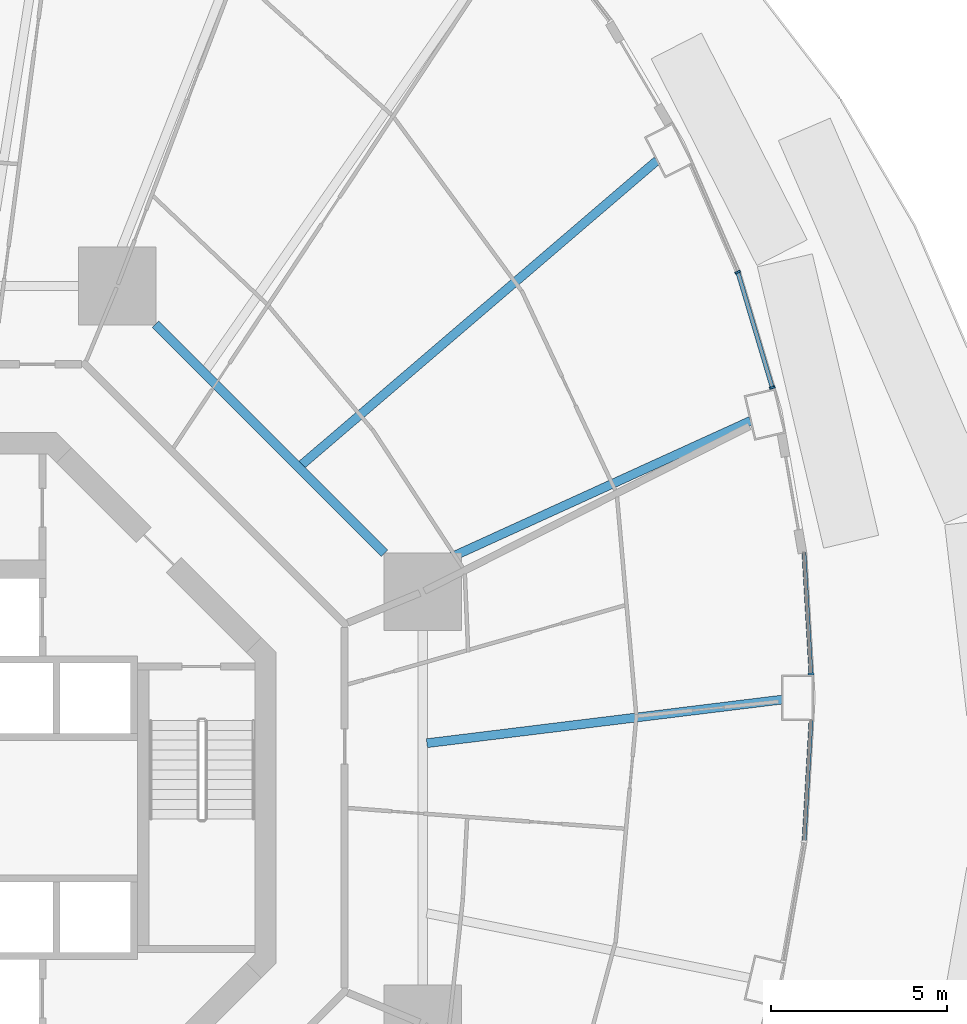
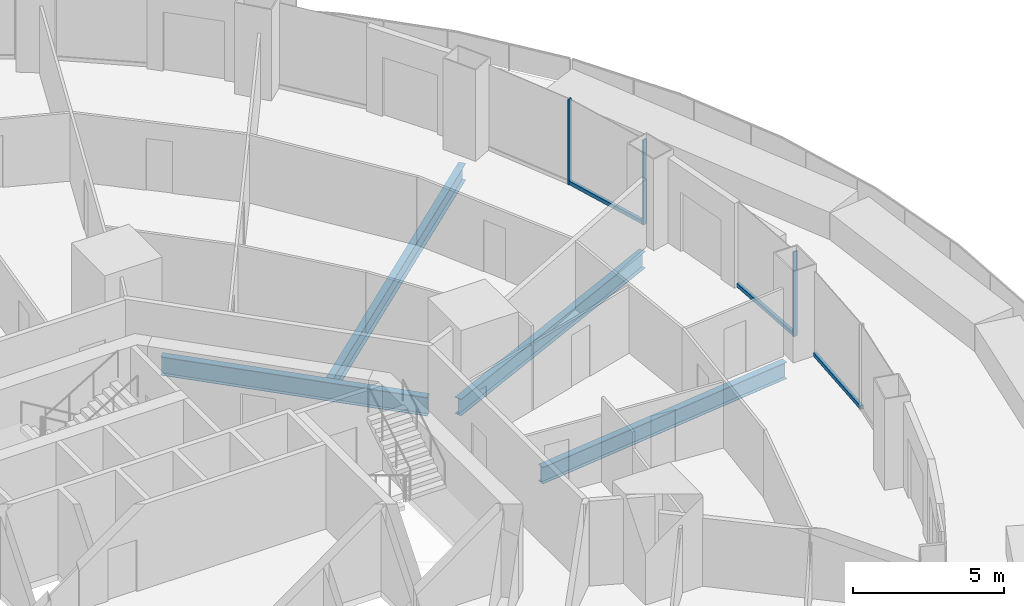
# One storey, part 9 of 22: 6 members, 4 beams, 4 elements without a shape of their own.
"""IFC4 building model written with IfcOpenShell, lengths in metres."""

from ifc_helpers import new_model, si_unit, direction, frame, origin, origin_2d, place, context, subcontext, project, spatial, rectangle, i_section, extrude, material, layer, layer_set, material_profile, profile_set, type_object, element, aggregate, save


model = new_model("IFC4")

# Units and contexts
model_context = context("Model", 3, precision=1e-05, world=origin(), true_north=direction((0.0, 1.0)))
body_context = subcontext(model_context, "Body", "Model", "MODEL_VIEW")
ifc_project = project(units=[si_unit("LENGTHUNIT", "METRE"), si_unit("AREAUNIT", "SQUARE_METRE"), si_unit("VOLUMEUNIT", "CUBIC_METRE"), si_unit("PLANEANGLEUNIT", "RADIAN"), si_unit("MASSUNIT", "GRAM", prefix="KILO")], contexts=[model_context])

# Site, building, storey
site_placement = place(None, origin())
site = spatial("IfcSite", under=ifc_project, at=site_placement, CompositionType="ELEMENT")
building_placement = place(site_placement, origin())
building = spatial("IfcBuilding", under=site, at=building_placement, Name="Nagisa Residences", CompositionType="ELEMENT")
storey_placement = place(building_placement, frame((0.0, 0.0, 73.300048828125)))
storey = spatial("IfcBuildingStorey", under=building, at=storey_placement, Name="L17", CompositionType="ELEMENT", Elevation=73.300048828125)

# Curtain wall, member
ifc_material_1 = material(Name="Concrete-coloured aluminium curtain wall system", Category="concrete")
ifc_layer = layer(ifc_material_1, 0.159912109375)
ifc_layer_set = layer_set([ifc_layer], Name="CW1 CURTAIN WALL")
curtain_wall_type = type_object("IfcCurtainWallType", Name="CW1 CURTAIN WALL", PredefinedType="NOTDEFINED", material=ifc_layer_set)
curtain_wall_1_placement = place(storey_placement, origin())
curtain_wall_1 = element("IfcCurtainWall", 1, at=curtain_wall_1_placement, inside=storey, type_object=curtain_wall_type, Name="cw:CW1:L17:00", PredefinedType="NOTDEFINED")
ifc_material_2 = material(Name="Concrete-coloured aluminium", Category="concrete")
ifc_material_profile_1 = material_profile(ifc_material_2, rectangle(XDim=0.159912109375, YDim=0.06005859375, at=origin_2d()), Name="CW1 MULLION 160x60")
ifc_profile_set_1 = profile_set([ifc_material_profile_1], Name="Concrete-coloured aluminium")
member_type_1 = type_object("IfcMemberType", Name="CW1 MULLION 160x60", PredefinedType="MULLION", material=ifc_profile_set_1)
member_1_placement = place(storey_placement, frame((25.776123046875, 3.7919921875, 0.0), z_axis=(0.0, 0.0, 1.0), x_axis=(-0.998345305184, -0.057503492216, 0.0)))
member_1 = element("IfcMember", 2, at=member_1_placement, type_object=member_type_1, Name="CW1 mullion", PredefinedType="MULLION", context=body_context, shape_type="SweptSolid", body=[
    extrude(rectangle(XDim=0.159912109375, YDim=0.06005859375, at=origin_2d()), origin(), (0.0, 0.0, 1.0), 3.43994140625),
])

curtain_wall_2_placement = place(storey_placement, origin())
curtain_wall_2 = element("IfcCurtainWall", 3, at=curtain_wall_2_placement, inside=storey, type_object=curtain_wall_type, Name="cw:CW1:L17:02", PredefinedType="NOTDEFINED")
member_2_placement = place(storey_placement, frame((24.68017578125, 11.903076171875, 0.0), z_axis=(0.0, 0.0, 1.0), x_axis=(-0.958271310082, -0.285860274038, 0.0)))
member_2 = element("IfcMember", 4, at=member_2_placement, type_object=member_type_1, Name="CW1 mullion", PredefinedType="MULLION", context=body_context, shape_type="SweptSolid", body=[
    extrude(rectangle(XDim=0.159912109375, YDim=0.06005859375, at=origin_2d()), origin(), (0.0, 0.0, 1.0), 3.43994140625),
])

curtain_wall_3_placement = place(storey_placement, origin())
curtain_wall_3 = element("IfcCurtainWall", 5, at=curtain_wall_3_placement, inside=storey, type_object=curtain_wall_type, Name="cw:CW1:L17:03", PredefinedType="NOTDEFINED")
member_3_placement = place(storey_placement, frame((23.701416015625, 15.173583984375, 0.0), z_axis=(0.0, 0.0, 1.0), x_axis=(-0.917543276295, -0.397635934147, 0.0)))
member_3 = element("IfcMember", 6, at=member_3_placement, type_object=member_type_1, Name="CW1 mullion", PredefinedType="MULLION", context=body_context, shape_type="SweptSolid", body=[
    extrude(rectangle(XDim=0.159912109375, YDim=0.06005859375, at=origin_2d()), origin(), (0.0, 0.0, 1.0), 3.43994140625),
])
aggregate(curtain_wall_3, [member_3])

# Member
ifc_material_3 = material(Name="Concrete-coloured aluminium", Category="concrete")
ifc_material_profile_2 = material_profile(ifc_material_3, rectangle(XDim=0.1201171875, YDim=0.14990234375, at=origin_2d()), Name="CW1 TRANSOM 120x150")
ifc_profile_set_2 = profile_set([ifc_material_profile_2], Name="Concrete-coloured aluminium")
member_type_2 = type_object("IfcMemberType", Name="CW1 TRANSOM 120x150", PredefinedType="USERDEFINED", material=ifc_profile_set_2)
member_4_placement = place(storey_placement, frame((25.77783203125, 3.761962890625, 0.074951171875), z_axis=(-0.057546644052, 0.998342818754, 0.0), x_axis=(-0.998342818754, -0.057546644052, 0.0)))
member_4 = element("IfcMember", 7, at=member_4_placement, type_object=member_type_2, Name="CW1 transom", ObjectType="TRANSOM", PredefinedType="USERDEFINED", context=body_context, shape_type="SweptSolid", body=[
    extrude(rectangle(XDim=0.1201171875, YDim=0.14990234375, at=origin_2d()), origin(), (0.0, 0.0, 1.0), 3.470458984375),
])

aggregate(curtain_wall_1, [member_1, member_4])

member_5_placement = place(storey_placement, frame((24.68896484375, 11.874267578125, 0.074951171875), z_axis=(-0.285882094477, 0.958264800594, 0.0), x_axis=(-0.958264800594, -0.285882094477, 0.0)))
member_5 = element("IfcMember", 8, at=member_5_placement, type_object=member_type_2, Name="CW1 transom", ObjectType="TRANSOM", PredefinedType="USERDEFINED", context=body_context, shape_type="SweptSolid", body=[
    extrude(rectangle(XDim=0.1201171875, YDim=0.14990234375, at=origin_2d()), origin(), (0.0, 0.0, 1.0), 3.423583984375),
])

aggregate(curtain_wall_2, [member_2, member_5])

# Curtain wall, member
curtain_wall_4_placement = place(storey_placement, origin())
curtain_wall_4 = element("IfcCurtainWall", 9, at=curtain_wall_4_placement, inside=storey, type_object=curtain_wall_type, Name="cw:CW1:L17:47", PredefinedType="NOTDEFINED")
member_6_placement = place(storey_placement, frame((25.578125, -0.9912109375, 0.074951171875), z_axis=(0.057546644052, 0.998342818754, 0.0), x_axis=(-0.998342818754, 0.057546644052, 0.0)))
member_6 = element("IfcMember", 10, at=member_6_placement, type_object=member_type_2, Name="CW1 transom", ObjectType="TRANSOM", PredefinedType="USERDEFINED", context=body_context, shape_type="SweptSolid", body=[
    extrude(rectangle(XDim=0.1201171875, YDim=0.14990234375, at=origin_2d()), origin(), (0.0, 0.0, 1.0), 3.470458984375),
])
aggregate(curtain_wall_4, [member_6])

# Beams
ifc_material_4 = material(Name="Steel ASTM A572 Gr 50", Category="steel")
ifc_material_profile_3 = material_profile(ifc_material_4, i_section(OverallWidth=0.264892578125, OverallDepth=0.7529296875, WebThickness=0.01318359375, FlangeThickness=0.01708984375, at=origin_2d()), Name="W760x147")
ifc_profile_set_3 = profile_set([ifc_material_profile_3], Name="Steel ASTM A572 Gr 50")
beam_type_1 = type_object("IfcBeamType", Name="Inner ring beam W760x147", PredefinedType="BEAM", material=ifc_profile_set_3)
beam_1_placement = place(storey_placement, frame((13.6962890625, 7.208740234375, -0.636474609375), z_axis=(-0.707106781187, 0.707106781187, 0.0), x_axis=(-0.707106781187, -0.707106781187, 0.0)))
element("IfcBeam", 11, at=beam_1_placement, inside=storey, type_object=beam_type_1, Name="beam:L17:ib1", PredefinedType="BEAM", context=body_context, shape_type="SweptSolid", body=[
    extrude(i_section(OverallWidth=0.264892578125, OverallDepth=0.7529296875, WebThickness=0.01318359375, FlangeThickness=0.01708984375, at=origin_2d()), origin(), (0.0, 0.0, 1.0), 9.1748046875),
])
ifc_material_5 = material(Name="Steel ASTM A572 Gr 50", Category="steel")
ifc_material_profile_4 = material_profile(ifc_material_5, i_section(OverallWidth=0.2529296875, OverallDepth=0.677978515625, WebThickness=0.01171875, FlangeThickness=0.016357421875, at=origin_2d()), Name="W690x125")
ifc_profile_set_4 = profile_set([ifc_material_profile_4], Name="Steel ASTM A572 Gr 50")
beam_type_2 = type_object("IfcBeamType", Name="Radial beam W690x125", PredefinedType="BEAM", material=ifc_profile_set_4)
beam_2_placement = place(storey_placement, frame((24.96484375, 3.06494140625, -0.59912109375), z_axis=(-0.992547591761, -0.121857614, 0.0), x_axis=(0.121857614, -0.992547591761, 0.0)))
element("IfcBeam", 12, at=beam_2_placement, inside=storey, type_object=beam_type_2, Name="beam:L17:rb01", PredefinedType="BEAM", context=body_context, shape_type="SweptSolid", body=[
    extrude(i_section(OverallWidth=0.2529296875, OverallDepth=0.677978515625, WebThickness=0.01171875, FlangeThickness=0.016357421875, at=origin_2d()), origin(), (0.0, 0.0, 1.0), 10.145751953125),
])
beam_3_placement = place(storey_placement, frame((24.069091796875, 10.963134765625, -0.59912109375), z_axis=(-0.91004744246, -0.414504104288, 0.0), x_axis=(0.414504104288, -0.91004744246, 0.0)))
element("IfcBeam", 13, at=beam_3_placement, inside=storey, type_object=beam_type_2, Name="beam:L17:rb02", PredefinedType="BEAM", context=body_context, shape_type="SweptSolid", body=[
    extrude(i_section(OverallWidth=0.2529296875, OverallDepth=0.677978515625, WebThickness=0.01171875, FlangeThickness=0.016357421875, at=origin_2d()), origin(), (0.0, 0.0, 1.0), 10.544189453125),
])
beam_4_placement = place(storey_placement, frame((21.4150390625, 18.3369140625, -0.59912109375), z_axis=(-0.759585472841, -0.650407494921, 0.0), x_axis=(0.650407494921, -0.759585472841, 0.0)))
element("IfcBeam", 14, at=beam_4_placement, inside=storey, type_object=beam_type_2, Name="beam:L17:rb03", PredefinedType="BEAM", context=body_context, shape_type="SweptSolid", body=[
    extrude(i_section(OverallWidth=0.2529296875, OverallDepth=0.677978515625, WebThickness=0.01171875, FlangeThickness=0.016357421875, at=origin_2d()), origin(), (0.0, 0.0, 1.0), 13.25390625),
])

save(model, "model.ifc")
